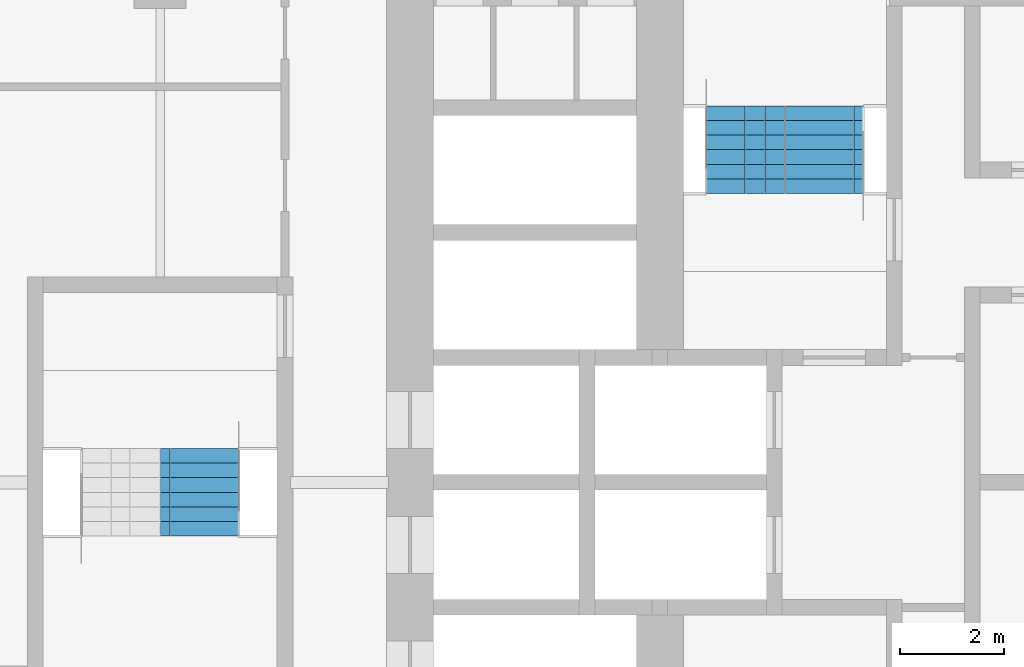
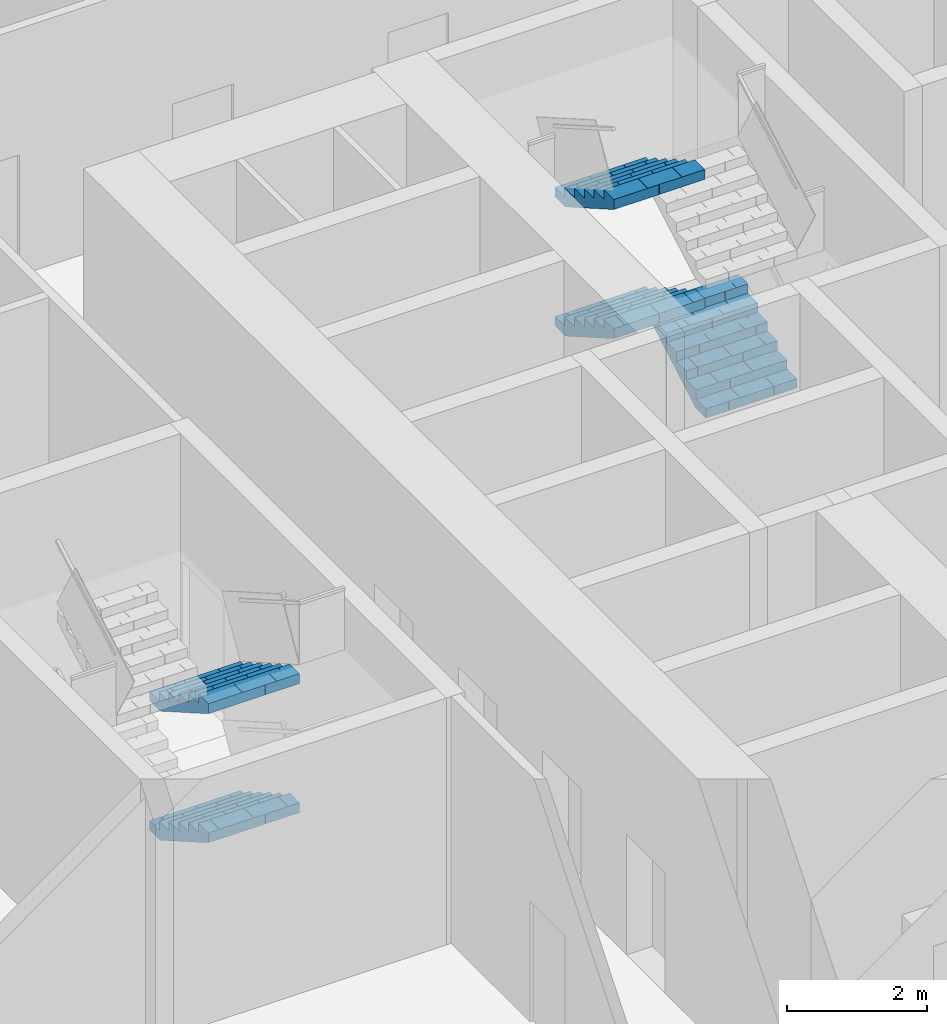
# One storey, part 20 of 24: 5 stair flights, 2 elements without a shape of their own.
"""IFC4 building model written with IfcOpenShell, lengths in metres."""

from ifc_helpers import new_model, si_unit, direction, frame, origin, place, context, subcontext, project, spatial, polyline, outline, extrude, material, type_object, element, aggregate, save


model = new_model("IFC4")

# Units and contexts
model_context = context("Model", 3, precision=1e-05, world=origin(), true_north=direction((0.0, 1.0)))
body_context = subcontext(model_context, "Body", "Model", "MODEL_VIEW")
ifc_project = project(units=[si_unit("LENGTHUNIT", "METRE"), si_unit("AREAUNIT", "SQUARE_METRE"), si_unit("VOLUMEUNIT", "CUBIC_METRE"), si_unit("PLANEANGLEUNIT", "RADIAN"), si_unit("MASSUNIT", "GRAM", prefix="KILO")], contexts=[model_context])

# Site, building, storey
site_placement = place(None, origin())
site = spatial("IfcSite", under=ifc_project, at=site_placement, CompositionType="ELEMENT")
building_placement = place(site_placement, origin())
building = spatial("IfcBuilding", under=site, at=building_placement, Name="Kolab Exchange Tower", CompositionType="ELEMENT")
storey_placement = place(building_placement, frame((0.0, 0.0, 86.89990234375)))
storey = spatial("IfcBuildingStorey", under=building, at=storey_placement, Name="L16", CompositionType="ELEMENT", Elevation=86.89990234375)

# Stair, stair flights
ifc_material = material(Name="Concrete C50/60", Category="concrete")
stair_type_1 = type_object("IfcStairType", Name="STAIR ST1 RISER 160.7", PredefinedType="DOUBLE_RETURN_STAIR", material=ifc_material)
stair_1_placement = place(storey_placement, origin())
stair_1 = element("IfcStair", 1, at=stair_1_placement, inside=storey, type_object=stair_type_1, Name="Stair 1", PredefinedType="DOUBLE_RETURN_STAIR")
stair_flight_type = type_object("IfcStairFlightType", Name="STAIR FLIGHT 1500 RISER 160.7", PredefinedType="STRAIGHT", material=ifc_material)
stair_flight_1_placement = place(storey_placement, frame((-6.43994140625, 5.550048828125, 0.0), z_axis=(0.0, 0.0, 1.0), x_axis=(0.0, 1.0, 0.0)))
stair_flight_1 = element("IfcStairFlight", 2, at=stair_flight_1_placement, type_object=stair_flight_type, Name="ST1 flight 1", NumberOfRisers=7, NumberOfTreads=6, PredefinedType="STRAIGHT", RiserHeight=0.160714286, TreadLength=0.28, context=body_context, shape_type="SweptSolid", body=[
    extrude(outline(polyline([(0.0, 0.0), (0.0, 0.16064453125), (0.280029296875, 0.16064453125), (0.280029296875, 0.321533203125), (0.56005859375, 0.321533203125), (0.56005859375, 0.482177734375), (0.840087890625, 0.482177734375), (0.840087890625, 0.642822265625), (1.1201171875, 0.642822265625), (1.1201171875, 0.803466796875), (1.39990234375, 0.803466796875), (1.39990234375, 0.96435546875), (1.679931640625, 0.96435546875), (1.679931640625, 1.125), (1.679931640625, 0.79150390625), (0.301025390625, 0.0), (0.0, 0.0)])), frame((0.0, 0.75, 0.0), z_axis=(0.0, -1.0, 0.0), x_axis=(1.0, 0.0, 0.0)), (0.0, 0.0, 1.0), 0.185791015625),
    extrude(outline(polyline([(0.0, 0.0), (0.0, 0.16064453125), (0.280029296875, 0.16064453125), (0.280029296875, 0.321533203125), (0.56005859375, 0.321533203125), (0.56005859375, 0.482177734375), (0.840087890625, 0.482177734375), (0.840087890625, 0.642822265625), (1.1201171875, 0.642822265625), (1.1201171875, 0.803466796875), (1.39990234375, 0.803466796875), (1.39990234375, 0.96435546875), (1.679931640625, 0.96435546875), (1.679931640625, 1.125), (1.679931640625, 0.79150390625), (0.301025390625, 0.0), (0.0, 0.0)])), frame((0.0, 0.562255859375, 0.0), z_axis=(0.0, -1.0, 0.0), x_axis=(1.0, 0.0, 0.0)), (0.0, 0.0, 1.0), 0.185791015625),
    extrude(outline(polyline([(0.0, 0.0), (0.0, 0.16064453125), (0.280029296875, 0.16064453125), (0.280029296875, 0.321533203125), (0.56005859375, 0.321533203125), (0.56005859375, 0.482177734375), (0.840087890625, 0.482177734375), (0.840087890625, 0.642822265625), (1.1201171875, 0.642822265625), (1.1201171875, 0.803466796875), (1.39990234375, 0.803466796875), (1.39990234375, 0.96435546875), (1.679931640625, 0.96435546875), (1.679931640625, 1.125), (1.679931640625, 0.79150390625), (0.301025390625, 0.0), (0.0, 0.0)])), frame((0.0, 0.37451171875, 0.0), z_axis=(0.0, -1.0, 0.0), x_axis=(1.0, 0.0, 0.0)), (0.0, 0.0, 1.0), 0.185791015625),
    extrude(outline(polyline([(0.0, 0.0), (0.0, 0.16064453125), (0.280029296875, 0.16064453125), (0.280029296875, 0.321533203125), (0.56005859375, 0.321533203125), (0.56005859375, 0.482177734375), (0.840087890625, 0.482177734375), (0.840087890625, 0.642822265625), (1.1201171875, 0.642822265625), (1.1201171875, 0.803466796875), (1.39990234375, 0.803466796875), (1.39990234375, 0.96435546875), (1.679931640625, 0.96435546875), (1.679931640625, 1.125), (1.679931640625, 0.79150390625), (0.301025390625, 0.0), (0.0, 0.0)])), frame((0.0, 0.186767578125, 0.0), z_axis=(0.0, -1.0, 0.0), x_axis=(1.0, 0.0, 0.0)), (0.0, 0.0, 1.0), 0.185791015625),
    extrude(outline(polyline([(0.0, 0.0), (0.0, 0.16064453125), (0.280029296875, 0.16064453125), (0.280029296875, 0.321533203125), (0.56005859375, 0.321533203125), (0.56005859375, 0.482177734375), (0.840087890625, 0.482177734375), (0.840087890625, 0.642822265625), (1.1201171875, 0.642822265625), (1.1201171875, 0.803466796875), (1.39990234375, 0.803466796875), (1.39990234375, 0.96435546875), (1.679931640625, 0.96435546875), (1.679931640625, 1.125), (1.679931640625, 0.79150390625), (0.301025390625, 0.0), (0.0, 0.0)])), frame((0.0, -0.0009765625, 0.0), z_axis=(0.0, -1.0, 0.0), x_axis=(1.0, 0.0, 0.0)), (0.0, 0.0, 1.0), 0.185791015625),
    extrude(outline(polyline([(0.0, 0.0), (0.0, 0.16064453125), (0.280029296875, 0.16064453125), (0.280029296875, 0.321533203125), (0.56005859375, 0.321533203125), (0.56005859375, 0.482177734375), (0.840087890625, 0.482177734375), (0.840087890625, 0.642822265625), (1.1201171875, 0.642822265625), (1.1201171875, 0.803466796875), (1.39990234375, 0.803466796875), (1.39990234375, 0.96435546875), (1.679931640625, 0.96435546875), (1.679931640625, 1.125), (1.679931640625, 0.79150390625), (0.301025390625, 0.0), (0.0, 0.0)])), frame((0.0, -0.188720703125, 0.0), z_axis=(0.0, -1.0, 0.0), x_axis=(1.0, 0.0, 0.0)), (0.0, 0.0, 1.0), 0.185791015625),
    extrude(outline(polyline([(0.0, 0.0), (0.0, 0.16064453125), (0.280029296875, 0.16064453125), (0.280029296875, 0.321533203125), (0.56005859375, 0.321533203125), (0.56005859375, 0.482177734375), (0.840087890625, 0.482177734375), (0.840087890625, 0.642822265625), (1.1201171875, 0.642822265625), (1.1201171875, 0.803466796875), (1.39990234375, 0.803466796875), (1.39990234375, 0.96435546875), (1.679931640625, 0.96435546875), (1.679931640625, 1.125), (1.679931640625, 0.79150390625), (0.301025390625, 0.0), (0.0, 0.0)])), frame((0.0, -0.37646484375, 0.0), z_axis=(0.0, -1.0, 0.0), x_axis=(1.0, 0.0, 0.0)), (0.0, 0.0, 1.0), 0.185791015625),
    extrude(outline(polyline([(0.0, 0.0), (0.0, 0.16064453125), (0.280029296875, 0.16064453125), (0.280029296875, 0.321533203125), (0.56005859375, 0.321533203125), (0.56005859375, 0.482177734375), (0.840087890625, 0.482177734375), (0.840087890625, 0.642822265625), (1.1201171875, 0.642822265625), (1.1201171875, 0.803466796875), (1.39990234375, 0.803466796875), (1.39990234375, 0.96435546875), (1.679931640625, 0.96435546875), (1.679931640625, 1.125), (1.679931640625, 0.79150390625), (0.301025390625, 0.0), (0.0, 0.0)])), frame((0.0, -0.564208984375, 0.0), z_axis=(0.0, -1.0, 0.0), x_axis=(1.0, 0.0, 0.0)), (0.0, 0.0, 1.0), 0.185791015625),
])
stair_flight_2_placement = place(storey_placement, frame((-7.9599609375, 7.22998046875, 1.125), z_axis=(0.0, 0.0, 1.0), x_axis=(0.0, -1.0, 0.0)))
stair_flight_2 = element("IfcStairFlight", 3, at=stair_flight_2_placement, type_object=stair_flight_type, Name="ST1 flight 2", NumberOfRisers=7, NumberOfTreads=6, PredefinedType="STRAIGHT", RiserHeight=0.160714286, TreadLength=0.28, context=body_context, shape_type="SweptSolid", body=[
    extrude(outline(polyline([(0.0, 0.0), (0.0, 0.16064453125), (0.280029296875, 0.16064453125), (0.280029296875, 0.321533203125), (0.56005859375, 0.321533203125), (0.56005859375, 0.482177734375), (0.840087890625, 0.482177734375), (0.840087890625, 0.642822265625), (1.1201171875, 0.642822265625), (1.1201171875, 0.803466796875), (1.39990234375, 0.803466796875), (1.39990234375, 0.96435546875), (1.679931640625, 0.96435546875), (1.679931640625, 1.125), (1.679931640625, 0.79150390625), (0.301025390625, 0.0), (0.0, 0.0)])), frame((0.0, 0.75, 0.0), z_axis=(0.0, -1.0, 0.0), x_axis=(1.0, 0.0, 0.0)), (0.0, 0.0, 1.0), 0.185791015625),
    extrude(outline(polyline([(0.0, 0.0), (0.0, 0.16064453125), (0.280029296875, 0.16064453125), (0.280029296875, 0.321533203125), (0.56005859375, 0.321533203125), (0.56005859375, 0.482177734375), (0.840087890625, 0.482177734375), (0.840087890625, 0.642822265625), (1.1201171875, 0.642822265625), (1.1201171875, 0.803466796875), (1.39990234375, 0.803466796875), (1.39990234375, 0.96435546875), (1.679931640625, 0.96435546875), (1.679931640625, 1.125), (1.679931640625, 0.79150390625), (0.301025390625, 0.0), (0.0, 0.0)])), frame((0.0, 0.562255859375, 0.0), z_axis=(0.0, -1.0, 0.0), x_axis=(1.0, 0.0, 0.0)), (0.0, 0.0, 1.0), 0.185791015625),
    extrude(outline(polyline([(0.0, 0.0), (0.0, 0.16064453125), (0.280029296875, 0.16064453125), (0.280029296875, 0.321533203125), (0.56005859375, 0.321533203125), (0.56005859375, 0.482177734375), (0.840087890625, 0.482177734375), (0.840087890625, 0.642822265625), (1.1201171875, 0.642822265625), (1.1201171875, 0.803466796875), (1.39990234375, 0.803466796875), (1.39990234375, 0.96435546875), (1.679931640625, 0.96435546875), (1.679931640625, 1.125), (1.679931640625, 0.79150390625), (0.301025390625, 0.0), (0.0, 0.0)])), frame((0.0, 0.37451171875, 0.0), z_axis=(0.0, -1.0, 0.0), x_axis=(1.0, 0.0, 0.0)), (0.0, 0.0, 1.0), 0.185791015625),
    extrude(outline(polyline([(0.0, 0.0), (0.0, 0.16064453125), (0.280029296875, 0.16064453125), (0.280029296875, 0.321533203125), (0.56005859375, 0.321533203125), (0.56005859375, 0.482177734375), (0.840087890625, 0.482177734375), (0.840087890625, 0.642822265625), (1.1201171875, 0.642822265625), (1.1201171875, 0.803466796875), (1.39990234375, 0.803466796875), (1.39990234375, 0.96435546875), (1.679931640625, 0.96435546875), (1.679931640625, 1.125), (1.679931640625, 0.79150390625), (0.301025390625, 0.0), (0.0, 0.0)])), frame((0.0, 0.186767578125, 0.0), z_axis=(0.0, -1.0, 0.0), x_axis=(1.0, 0.0, 0.0)), (0.0, 0.0, 1.0), 0.185791015625),
    extrude(outline(polyline([(0.0, 0.0), (0.0, 0.16064453125), (0.280029296875, 0.16064453125), (0.280029296875, 0.321533203125), (0.56005859375, 0.321533203125), (0.56005859375, 0.482177734375), (0.840087890625, 0.482177734375), (0.840087890625, 0.642822265625), (1.1201171875, 0.642822265625), (1.1201171875, 0.803466796875), (1.39990234375, 0.803466796875), (1.39990234375, 0.96435546875), (1.679931640625, 0.96435546875), (1.679931640625, 1.125), (1.679931640625, 0.79150390625), (0.301025390625, 0.0), (0.0, 0.0)])), frame((0.0, -0.0009765625, 0.0), z_axis=(0.0, -1.0, 0.0), x_axis=(1.0, 0.0, 0.0)), (0.0, 0.0, 1.0), 0.185791015625),
    extrude(outline(polyline([(0.0, 0.0), (0.0, 0.16064453125), (0.280029296875, 0.16064453125), (0.280029296875, 0.321533203125), (0.56005859375, 0.321533203125), (0.56005859375, 0.482177734375), (0.840087890625, 0.482177734375), (0.840087890625, 0.642822265625), (1.1201171875, 0.642822265625), (1.1201171875, 0.803466796875), (1.39990234375, 0.803466796875), (1.39990234375, 0.96435546875), (1.679931640625, 0.96435546875), (1.679931640625, 1.125), (1.679931640625, 0.79150390625), (0.301025390625, 0.0), (0.0, 0.0)])), frame((0.0, -0.188720703125, 0.0), z_axis=(0.0, -1.0, 0.0), x_axis=(1.0, 0.0, 0.0)), (0.0, 0.0, 1.0), 0.185791015625),
    extrude(outline(polyline([(0.0, 0.0), (0.0, 0.16064453125), (0.280029296875, 0.16064453125), (0.280029296875, 0.321533203125), (0.56005859375, 0.321533203125), (0.56005859375, 0.482177734375), (0.840087890625, 0.482177734375), (0.840087890625, 0.642822265625), (1.1201171875, 0.642822265625), (1.1201171875, 0.803466796875), (1.39990234375, 0.803466796875), (1.39990234375, 0.96435546875), (1.679931640625, 0.96435546875), (1.679931640625, 1.125), (1.679931640625, 0.79150390625), (0.301025390625, 0.0), (0.0, 0.0)])), frame((0.0, -0.37646484375, 0.0), z_axis=(0.0, -1.0, 0.0), x_axis=(1.0, 0.0, 0.0)), (0.0, 0.0, 1.0), 0.185791015625),
    extrude(outline(polyline([(0.0, 0.0), (0.0, 0.16064453125), (0.280029296875, 0.16064453125), (0.280029296875, 0.321533203125), (0.56005859375, 0.321533203125), (0.56005859375, 0.482177734375), (0.840087890625, 0.482177734375), (0.840087890625, 0.642822265625), (1.1201171875, 0.642822265625), (1.1201171875, 0.803466796875), (1.39990234375, 0.803466796875), (1.39990234375, 0.96435546875), (1.679931640625, 0.96435546875), (1.679931640625, 1.125), (1.679931640625, 0.79150390625), (0.301025390625, 0.0), (0.0, 0.0)])), frame((0.0, -0.564208984375, 0.0), z_axis=(0.0, -1.0, 0.0), x_axis=(1.0, 0.0, 0.0)), (0.0, 0.0, 1.0), 0.185791015625),
])
stair_flight_3_placement = place(storey_placement, frame((-7.9599609375, 7.22998046875, 3.375), z_axis=(0.0, 0.0, 1.0), x_axis=(0.0, -1.0, 0.0)))
stair_flight_3 = element("IfcStairFlight", 4, at=stair_flight_3_placement, type_object=stair_flight_type, Name="ST1 flight 4", NumberOfRisers=7, NumberOfTreads=6, PredefinedType="STRAIGHT", RiserHeight=0.160714286, TreadLength=0.28, context=body_context, shape_type="SweptSolid", body=[
    extrude(outline(polyline([(0.0, 0.0), (0.0, 0.16064453125), (0.280029296875, 0.16064453125), (0.280029296875, 0.321533203125), (0.56005859375, 0.321533203125), (0.56005859375, 0.482177734375), (0.840087890625, 0.482177734375), (0.840087890625, 0.642822265625), (1.1201171875, 0.642822265625), (1.1201171875, 0.803466796875), (1.39990234375, 0.803466796875), (1.39990234375, 0.96435546875), (1.679931640625, 0.96435546875), (1.679931640625, 1.125), (1.679931640625, 0.79150390625), (0.301025390625, 0.0), (0.0, 0.0)])), frame((0.0, 0.75, 0.0), z_axis=(0.0, -1.0, 0.0), x_axis=(1.0, 0.0, 0.0)), (0.0, 0.0, 1.0), 0.185791015625),
    extrude(outline(polyline([(0.0, 0.0), (0.0, 0.16064453125), (0.280029296875, 0.16064453125), (0.280029296875, 0.321533203125), (0.56005859375, 0.321533203125), (0.56005859375, 0.482177734375), (0.840087890625, 0.482177734375), (0.840087890625, 0.642822265625), (1.1201171875, 0.642822265625), (1.1201171875, 0.803466796875), (1.39990234375, 0.803466796875), (1.39990234375, 0.96435546875), (1.679931640625, 0.96435546875), (1.679931640625, 1.125), (1.679931640625, 0.79150390625), (0.301025390625, 0.0), (0.0, 0.0)])), frame((0.0, 0.562255859375, 0.0), z_axis=(0.0, -1.0, 0.0), x_axis=(1.0, 0.0, 0.0)), (0.0, 0.0, 1.0), 0.185791015625),
    extrude(outline(polyline([(0.0, 0.0), (0.0, 0.16064453125), (0.280029296875, 0.16064453125), (0.280029296875, 0.321533203125), (0.56005859375, 0.321533203125), (0.56005859375, 0.482177734375), (0.840087890625, 0.482177734375), (0.840087890625, 0.642822265625), (1.1201171875, 0.642822265625), (1.1201171875, 0.803466796875), (1.39990234375, 0.803466796875), (1.39990234375, 0.96435546875), (1.679931640625, 0.96435546875), (1.679931640625, 1.125), (1.679931640625, 0.79150390625), (0.301025390625, 0.0), (0.0, 0.0)])), frame((0.0, 0.37451171875, 0.0), z_axis=(0.0, -1.0, 0.0), x_axis=(1.0, 0.0, 0.0)), (0.0, 0.0, 1.0), 0.185791015625),
    extrude(outline(polyline([(0.0, 0.0), (0.0, 0.16064453125), (0.280029296875, 0.16064453125), (0.280029296875, 0.321533203125), (0.56005859375, 0.321533203125), (0.56005859375, 0.482177734375), (0.840087890625, 0.482177734375), (0.840087890625, 0.642822265625), (1.1201171875, 0.642822265625), (1.1201171875, 0.803466796875), (1.39990234375, 0.803466796875), (1.39990234375, 0.96435546875), (1.679931640625, 0.96435546875), (1.679931640625, 1.125), (1.679931640625, 0.79150390625), (0.301025390625, 0.0), (0.0, 0.0)])), frame((0.0, 0.186767578125, 0.0), z_axis=(0.0, -1.0, 0.0), x_axis=(1.0, 0.0, 0.0)), (0.0, 0.0, 1.0), 0.185791015625),
    extrude(outline(polyline([(0.0, 0.0), (0.0, 0.16064453125), (0.280029296875, 0.16064453125), (0.280029296875, 0.321533203125), (0.56005859375, 0.321533203125), (0.56005859375, 0.482177734375), (0.840087890625, 0.482177734375), (0.840087890625, 0.642822265625), (1.1201171875, 0.642822265625), (1.1201171875, 0.803466796875), (1.39990234375, 0.803466796875), (1.39990234375, 0.96435546875), (1.679931640625, 0.96435546875), (1.679931640625, 1.125), (1.679931640625, 0.79150390625), (0.301025390625, 0.0), (0.0, 0.0)])), frame((0.0, -0.0009765625, 0.0), z_axis=(0.0, -1.0, 0.0), x_axis=(1.0, 0.0, 0.0)), (0.0, 0.0, 1.0), 0.185791015625),
    extrude(outline(polyline([(0.0, 0.0), (0.0, 0.16064453125), (0.280029296875, 0.16064453125), (0.280029296875, 0.321533203125), (0.56005859375, 0.321533203125), (0.56005859375, 0.482177734375), (0.840087890625, 0.482177734375), (0.840087890625, 0.642822265625), (1.1201171875, 0.642822265625), (1.1201171875, 0.803466796875), (1.39990234375, 0.803466796875), (1.39990234375, 0.96435546875), (1.679931640625, 0.96435546875), (1.679931640625, 1.125), (1.679931640625, 0.79150390625), (0.301025390625, 0.0), (0.0, 0.0)])), frame((0.0, -0.188720703125, 0.0), z_axis=(0.0, -1.0, 0.0), x_axis=(1.0, 0.0, 0.0)), (0.0, 0.0, 1.0), 0.185791015625),
    extrude(outline(polyline([(0.0, 0.0), (0.0, 0.16064453125), (0.280029296875, 0.16064453125), (0.280029296875, 0.321533203125), (0.56005859375, 0.321533203125), (0.56005859375, 0.482177734375), (0.840087890625, 0.482177734375), (0.840087890625, 0.642822265625), (1.1201171875, 0.642822265625), (1.1201171875, 0.803466796875), (1.39990234375, 0.803466796875), (1.39990234375, 0.96435546875), (1.679931640625, 0.96435546875), (1.679931640625, 1.125), (1.679931640625, 0.79150390625), (0.301025390625, 0.0), (0.0, 0.0)])), frame((0.0, -0.37646484375, 0.0), z_axis=(0.0, -1.0, 0.0), x_axis=(1.0, 0.0, 0.0)), (0.0, 0.0, 1.0), 0.185791015625),
    extrude(outline(polyline([(0.0, 0.0), (0.0, 0.16064453125), (0.280029296875, 0.16064453125), (0.280029296875, 0.321533203125), (0.56005859375, 0.321533203125), (0.56005859375, 0.482177734375), (0.840087890625, 0.482177734375), (0.840087890625, 0.642822265625), (1.1201171875, 0.642822265625), (1.1201171875, 0.803466796875), (1.39990234375, 0.803466796875), (1.39990234375, 0.96435546875), (1.679931640625, 0.96435546875), (1.679931640625, 1.125), (1.679931640625, 0.79150390625), (0.301025390625, 0.0), (0.0, 0.0)])), frame((0.0, -0.564208984375, 0.0), z_axis=(0.0, -1.0, 0.0), x_axis=(1.0, 0.0, 0.0)), (0.0, 0.0, 1.0), 0.185791015625),
])
aggregate(stair_1, [stair_flight_1, stair_flight_2, stair_flight_3])

stair_type_2 = type_object("IfcStairType", Name="STAIR ST5 RISER 160.7", PredefinedType="DOUBLE_RETURN_STAIR", material=ifc_material)
stair_2_placement = place(storey_placement, origin())
stair_2 = element("IfcStair", 5, at=stair_2_placement, inside=storey, type_object=stair_type_2, Name="Stair 5", PredefinedType="DOUBLE_RETURN_STAIR")
stair_flight_4_placement = place(storey_placement, frame((-18.43994140625, 0.64990234375, 0.0), z_axis=(0.0, 0.0, 1.0), x_axis=(0.0, -1.0, 0.0)))
stair_flight_4 = element("IfcStairFlight", 6, at=stair_flight_4_placement, type_object=stair_flight_type, Name="ST5 flight 1", NumberOfRisers=7, NumberOfTreads=6, PredefinedType="STRAIGHT", RiserHeight=0.160714286, TreadLength=0.28, context=body_context, shape_type="SweptSolid", body=[
    extrude(outline(polyline([(0.0, 0.0), (0.0, 0.16064453125), (0.280029296875, 0.16064453125), (0.280029296875, 0.321533203125), (0.56005859375, 0.321533203125), (0.56005859375, 0.482177734375), (0.840087890625, 0.482177734375), (0.840087890625, 0.642822265625), (1.1201171875, 0.642822265625), (1.1201171875, 0.803466796875), (1.39990234375, 0.803466796875), (1.39990234375, 0.96435546875), (1.679931640625, 0.96435546875), (1.679931640625, 1.125), (1.679931640625, 0.79150390625), (0.301025390625, 0.0), (0.0, 0.0)])), frame((0.0, 0.75, 0.0), z_axis=(0.0, -1.0, 0.0), x_axis=(1.0, 0.0, 0.0)), (0.0, 0.0, 1.0), 0.185791015625),
    extrude(outline(polyline([(0.0, 0.0), (0.0, 0.16064453125), (0.280029296875, 0.16064453125), (0.280029296875, 0.321533203125), (0.56005859375, 0.321533203125), (0.56005859375, 0.482177734375), (0.840087890625, 0.482177734375), (0.840087890625, 0.642822265625), (1.1201171875, 0.642822265625), (1.1201171875, 0.803466796875), (1.39990234375, 0.803466796875), (1.39990234375, 0.96435546875), (1.679931640625, 0.96435546875), (1.679931640625, 1.125), (1.679931640625, 0.79150390625), (0.301025390625, 0.0), (0.0, 0.0)])), frame((0.0, 0.562255859375, 0.0), z_axis=(0.0, -1.0, 0.0), x_axis=(1.0, 0.0, 0.0)), (0.0, 0.0, 1.0), 0.185791015625),
    extrude(outline(polyline([(0.0, 0.0), (0.0, 0.16064453125), (0.280029296875, 0.16064453125), (0.280029296875, 0.321533203125), (0.56005859375, 0.321533203125), (0.56005859375, 0.482177734375), (0.840087890625, 0.482177734375), (0.840087890625, 0.642822265625), (1.1201171875, 0.642822265625), (1.1201171875, 0.803466796875), (1.39990234375, 0.803466796875), (1.39990234375, 0.96435546875), (1.679931640625, 0.96435546875), (1.679931640625, 1.125), (1.679931640625, 0.79150390625), (0.301025390625, 0.0), (0.0, 0.0)])), frame((0.0, 0.37451171875, 0.0), z_axis=(0.0, -1.0, 0.0), x_axis=(1.0, 0.0, 0.0)), (0.0, 0.0, 1.0), 0.185791015625),
    extrude(outline(polyline([(0.0, 0.0), (0.0, 0.16064453125), (0.280029296875, 0.16064453125), (0.280029296875, 0.321533203125), (0.56005859375, 0.321533203125), (0.56005859375, 0.482177734375), (0.840087890625, 0.482177734375), (0.840087890625, 0.642822265625), (1.1201171875, 0.642822265625), (1.1201171875, 0.803466796875), (1.39990234375, 0.803466796875), (1.39990234375, 0.96435546875), (1.679931640625, 0.96435546875), (1.679931640625, 1.125), (1.679931640625, 0.79150390625), (0.301025390625, 0.0), (0.0, 0.0)])), frame((0.0, 0.186767578125, 0.0), z_axis=(0.0, -1.0, 0.0), x_axis=(1.0, 0.0, 0.0)), (0.0, 0.0, 1.0), 0.185791015625),
    extrude(outline(polyline([(0.0, 0.0), (0.0, 0.16064453125), (0.280029296875, 0.16064453125), (0.280029296875, 0.321533203125), (0.56005859375, 0.321533203125), (0.56005859375, 0.482177734375), (0.840087890625, 0.482177734375), (0.840087890625, 0.642822265625), (1.1201171875, 0.642822265625), (1.1201171875, 0.803466796875), (1.39990234375, 0.803466796875), (1.39990234375, 0.96435546875), (1.679931640625, 0.96435546875), (1.679931640625, 1.125), (1.679931640625, 0.79150390625), (0.301025390625, 0.0), (0.0, 0.0)])), frame((0.0, -0.0009765625, 0.0), z_axis=(0.0, -1.0, 0.0), x_axis=(1.0, 0.0, 0.0)), (0.0, 0.0, 1.0), 0.185791015625),
    extrude(outline(polyline([(0.0, 0.0), (0.0, 0.16064453125), (0.280029296875, 0.16064453125), (0.280029296875, 0.321533203125), (0.56005859375, 0.321533203125), (0.56005859375, 0.482177734375), (0.840087890625, 0.482177734375), (0.840087890625, 0.642822265625), (1.1201171875, 0.642822265625), (1.1201171875, 0.803466796875), (1.39990234375, 0.803466796875), (1.39990234375, 0.96435546875), (1.679931640625, 0.96435546875), (1.679931640625, 1.125), (1.679931640625, 0.79150390625), (0.301025390625, 0.0), (0.0, 0.0)])), frame((0.0, -0.188720703125, 0.0), z_axis=(0.0, -1.0, 0.0), x_axis=(1.0, 0.0, 0.0)), (0.0, 0.0, 1.0), 0.185791015625),
    extrude(outline(polyline([(0.0, 0.0), (0.0, 0.16064453125), (0.280029296875, 0.16064453125), (0.280029296875, 0.321533203125), (0.56005859375, 0.321533203125), (0.56005859375, 0.482177734375), (0.840087890625, 0.482177734375), (0.840087890625, 0.642822265625), (1.1201171875, 0.642822265625), (1.1201171875, 0.803466796875), (1.39990234375, 0.803466796875), (1.39990234375, 0.96435546875), (1.679931640625, 0.96435546875), (1.679931640625, 1.125), (1.679931640625, 0.79150390625), (0.301025390625, 0.0), (0.0, 0.0)])), frame((0.0, -0.37646484375, 0.0), z_axis=(0.0, -1.0, 0.0), x_axis=(1.0, 0.0, 0.0)), (0.0, 0.0, 1.0), 0.185791015625),
    extrude(outline(polyline([(0.0, 0.0), (0.0, 0.16064453125), (0.280029296875, 0.16064453125), (0.280029296875, 0.321533203125), (0.56005859375, 0.321533203125), (0.56005859375, 0.482177734375), (0.840087890625, 0.482177734375), (0.840087890625, 0.642822265625), (1.1201171875, 0.642822265625), (1.1201171875, 0.803466796875), (1.39990234375, 0.803466796875), (1.39990234375, 0.96435546875), (1.679931640625, 0.96435546875), (1.679931640625, 1.125), (1.679931640625, 0.79150390625), (0.301025390625, 0.0), (0.0, 0.0)])), frame((0.0, -0.564208984375, 0.0), z_axis=(0.0, -1.0, 0.0), x_axis=(1.0, 0.0, 0.0)), (0.0, 0.0, 1.0), 0.185791015625),
])
stair_flight_5_placement = place(storey_placement, frame((-18.43994140625, 0.64990234375, 2.25), z_axis=(0.0, 0.0, 1.0), x_axis=(0.0, -1.0, 0.0)))
stair_flight_5 = element("IfcStairFlight", 7, at=stair_flight_5_placement, type_object=stair_flight_type, Name="ST5 flight 3", NumberOfRisers=7, NumberOfTreads=6, PredefinedType="STRAIGHT", RiserHeight=0.160714286, TreadLength=0.28, context=body_context, shape_type="SweptSolid", body=[
    extrude(outline(polyline([(0.0, 0.0), (0.0, 0.16064453125), (0.280029296875, 0.16064453125), (0.280029296875, 0.321533203125), (0.56005859375, 0.321533203125), (0.56005859375, 0.482177734375), (0.840087890625, 0.482177734375), (0.840087890625, 0.642822265625), (1.1201171875, 0.642822265625), (1.1201171875, 0.803466796875), (1.39990234375, 0.803466796875), (1.39990234375, 0.96435546875), (1.679931640625, 0.96435546875), (1.679931640625, 1.125), (1.679931640625, 0.79150390625), (0.301025390625, 0.0), (0.0, 0.0)])), frame((0.0, 0.75, 0.0), z_axis=(0.0, -1.0, 0.0), x_axis=(1.0, 0.0, 0.0)), (0.0, 0.0, 1.0), 0.185791015625),
    extrude(outline(polyline([(0.0, 0.0), (0.0, 0.16064453125), (0.280029296875, 0.16064453125), (0.280029296875, 0.321533203125), (0.56005859375, 0.321533203125), (0.56005859375, 0.482177734375), (0.840087890625, 0.482177734375), (0.840087890625, 0.642822265625), (1.1201171875, 0.642822265625), (1.1201171875, 0.803466796875), (1.39990234375, 0.803466796875), (1.39990234375, 0.96435546875), (1.679931640625, 0.96435546875), (1.679931640625, 1.125), (1.679931640625, 0.79150390625), (0.301025390625, 0.0), (0.0, 0.0)])), frame((0.0, 0.562255859375, 0.0), z_axis=(0.0, -1.0, 0.0), x_axis=(1.0, 0.0, 0.0)), (0.0, 0.0, 1.0), 0.185791015625),
    extrude(outline(polyline([(0.0, 0.0), (0.0, 0.16064453125), (0.280029296875, 0.16064453125), (0.280029296875, 0.321533203125), (0.56005859375, 0.321533203125), (0.56005859375, 0.482177734375), (0.840087890625, 0.482177734375), (0.840087890625, 0.642822265625), (1.1201171875, 0.642822265625), (1.1201171875, 0.803466796875), (1.39990234375, 0.803466796875), (1.39990234375, 0.96435546875), (1.679931640625, 0.96435546875), (1.679931640625, 1.125), (1.679931640625, 0.79150390625), (0.301025390625, 0.0), (0.0, 0.0)])), frame((0.0, 0.37451171875, 0.0), z_axis=(0.0, -1.0, 0.0), x_axis=(1.0, 0.0, 0.0)), (0.0, 0.0, 1.0), 0.185791015625),
    extrude(outline(polyline([(0.0, 0.0), (0.0, 0.16064453125), (0.280029296875, 0.16064453125), (0.280029296875, 0.321533203125), (0.56005859375, 0.321533203125), (0.56005859375, 0.482177734375), (0.840087890625, 0.482177734375), (0.840087890625, 0.642822265625), (1.1201171875, 0.642822265625), (1.1201171875, 0.803466796875), (1.39990234375, 0.803466796875), (1.39990234375, 0.96435546875), (1.679931640625, 0.96435546875), (1.679931640625, 1.125), (1.679931640625, 0.79150390625), (0.301025390625, 0.0), (0.0, 0.0)])), frame((0.0, 0.186767578125, 0.0), z_axis=(0.0, -1.0, 0.0), x_axis=(1.0, 0.0, 0.0)), (0.0, 0.0, 1.0), 0.185791015625),
    extrude(outline(polyline([(0.0, 0.0), (0.0, 0.16064453125), (0.280029296875, 0.16064453125), (0.280029296875, 0.321533203125), (0.56005859375, 0.321533203125), (0.56005859375, 0.482177734375), (0.840087890625, 0.482177734375), (0.840087890625, 0.642822265625), (1.1201171875, 0.642822265625), (1.1201171875, 0.803466796875), (1.39990234375, 0.803466796875), (1.39990234375, 0.96435546875), (1.679931640625, 0.96435546875), (1.679931640625, 1.125), (1.679931640625, 0.79150390625), (0.301025390625, 0.0), (0.0, 0.0)])), frame((0.0, -0.0009765625, 0.0), z_axis=(0.0, -1.0, 0.0), x_axis=(1.0, 0.0, 0.0)), (0.0, 0.0, 1.0), 0.185791015625),
    extrude(outline(polyline([(0.0, 0.0), (0.0, 0.16064453125), (0.280029296875, 0.16064453125), (0.280029296875, 0.321533203125), (0.56005859375, 0.321533203125), (0.56005859375, 0.482177734375), (0.840087890625, 0.482177734375), (0.840087890625, 0.642822265625), (1.1201171875, 0.642822265625), (1.1201171875, 0.803466796875), (1.39990234375, 0.803466796875), (1.39990234375, 0.96435546875), (1.679931640625, 0.96435546875), (1.679931640625, 1.125), (1.679931640625, 0.79150390625), (0.301025390625, 0.0), (0.0, 0.0)])), frame((0.0, -0.188720703125, 0.0), z_axis=(0.0, -1.0, 0.0), x_axis=(1.0, 0.0, 0.0)), (0.0, 0.0, 1.0), 0.185791015625),
    extrude(outline(polyline([(0.0, 0.0), (0.0, 0.16064453125), (0.280029296875, 0.16064453125), (0.280029296875, 0.321533203125), (0.56005859375, 0.321533203125), (0.56005859375, 0.482177734375), (0.840087890625, 0.482177734375), (0.840087890625, 0.642822265625), (1.1201171875, 0.642822265625), (1.1201171875, 0.803466796875), (1.39990234375, 0.803466796875), (1.39990234375, 0.96435546875), (1.679931640625, 0.96435546875), (1.679931640625, 1.125), (1.679931640625, 0.79150390625), (0.301025390625, 0.0), (0.0, 0.0)])), frame((0.0, -0.37646484375, 0.0), z_axis=(0.0, -1.0, 0.0), x_axis=(1.0, 0.0, 0.0)), (0.0, 0.0, 1.0), 0.185791015625),
    extrude(outline(polyline([(0.0, 0.0), (0.0, 0.16064453125), (0.280029296875, 0.16064453125), (0.280029296875, 0.321533203125), (0.56005859375, 0.321533203125), (0.56005859375, 0.482177734375), (0.840087890625, 0.482177734375), (0.840087890625, 0.642822265625), (1.1201171875, 0.642822265625), (1.1201171875, 0.803466796875), (1.39990234375, 0.803466796875), (1.39990234375, 0.96435546875), (1.679931640625, 0.96435546875), (1.679931640625, 1.125), (1.679931640625, 0.79150390625), (0.301025390625, 0.0), (0.0, 0.0)])), frame((0.0, -0.564208984375, 0.0), z_axis=(0.0, -1.0, 0.0), x_axis=(1.0, 0.0, 0.0)), (0.0, 0.0, 1.0), 0.185791015625),
])
aggregate(stair_2, [stair_flight_4, stair_flight_5])

save(model, "model.ifc")
